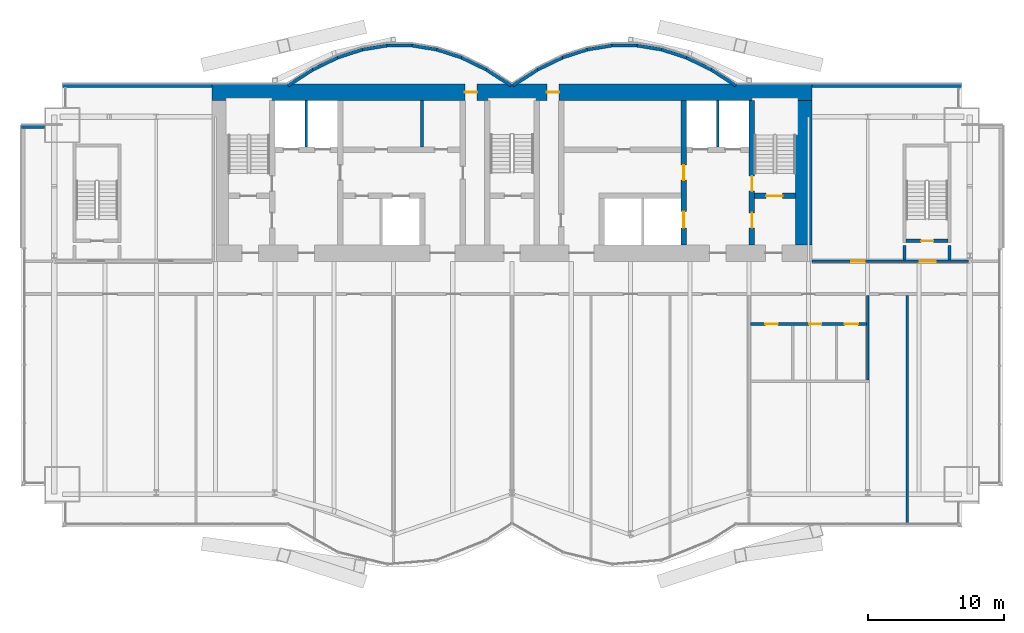
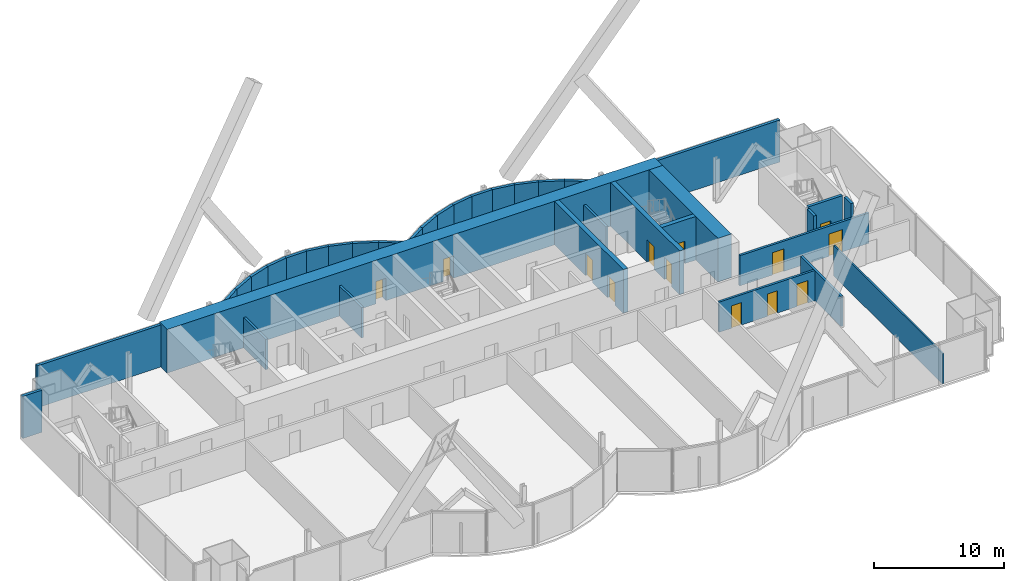
# One storey, part 18 of 22: 36 walls, 13 doors, 13 openings.
"""IFC4 building model written with IfcOpenShell, lengths in metres."""

from ifc_helpers import new_model, si_unit, direction, frame, frame_2d, origin, place, context, subcontext, project, spatial, rectangle, extrude, material, layer, layer_set, layer_usage, type_object, element, fill, save


model = new_model("IFC4")

# Units and contexts
model_context = context("Model", 3, precision=1e-05, world=origin(), true_north=direction((0.0, 1.0)))
body_context = subcontext(model_context, "Body", "Model", "MODEL_VIEW")
ifc_project = project(units=[si_unit("LENGTHUNIT", "METRE"), si_unit("AREAUNIT", "SQUARE_METRE"), si_unit("VOLUMEUNIT", "CUBIC_METRE"), si_unit("PLANEANGLEUNIT", "RADIAN"), si_unit("MASSUNIT", "GRAM", prefix="KILO")], contexts=[model_context])

# Site, building, storey
site_placement = place(None, origin())
site = spatial("IfcSite", under=ifc_project, at=site_placement, CompositionType="ELEMENT")
building_placement = place(site_placement, origin())
building = spatial("IfcBuilding", under=site, at=building_placement, Name="Bicima Exchange Tower", CompositionType="ELEMENT")
storey_placement = place(building_placement, frame((0.0, 0.0, 203.199951171875)))
storey = spatial("IfcBuildingStorey", under=building, at=storey_placement, Name="L45", CompositionType="ELEMENT", Elevation=203.199951171875)

# Walls
ifc_material_1 = material(Name="Gypsum board partition")
ifc_layer_1 = layer(ifc_material_1, 0.199951171875)
ifc_layer_set_1 = layer_set([ifc_layer_1], Name="Gypsum board partition")
wall_type_1 = type_object("IfcWallType", Name="Fire-rated gypsum partition 200 EI120", PredefinedType="PARTITIONING", material=ifc_layer_set_1)
for number, where, z_axis, x_axis, name in (
    (1, (-15.10009765625, -4.60009765625, 0.0), (0.0, 0.0, 1.0), (0.0, 1.0, 0.0), "partition wall 9"),
    (2, (15.10009765625, -4.60009765625, 0.0), (0.0, 0.0, 1.0), (0.0, 1.0, 0.0), "partition wall 21"),
):
    element("IfcWall", number, at=place(storey_placement, frame(where, z_axis=z_axis, x_axis=x_axis)), inside=storey, type_object=wall_type_1, Name=name, PredefinedType="PARTITIONING", context=body_context, shape_type="SweptSolid", body=[
        extrude(rectangle(XDim=3.400146484375, YDim=0.199951171875, at=frame_2d((1.7001953125, 0.0))), origin(), (0.0, 0.0, 1.0), 2.84033203125),
    ])

# Wall, openings, doors
ifc_layer_2 = layer(ifc_material_1, 0.199951171875)
ifc_layer_set_2 = layer_set([ifc_layer_2], Name="Gypsum board partition")
wall_type_2 = type_object("IfcWallType", Name="Fire-rated gypsum partition 200 EI60", PredefinedType="PARTITIONING", material=ifc_layer_set_2)
wall_1_placement = place(storey_placement, frame((17.5, -17.60009765625, 0.0), z_axis=(0.0, 0.0, 1.0), x_axis=(1.0, 0.0, 0.0)))
wall_1 = element("IfcWall", 3, at=wall_1_placement, inside=storey, type_object=wall_type_2, Name="partition wall 2", PredefinedType="PARTITIONING", context=body_context, shape_type="SweptSolid", body=[
    extrude(rectangle(XDim=8.5, YDim=0.199951171875, at=frame_2d((4.25, 0.0))), origin(), (0.0, 0.0, 1.0), 2.84033203125),
])
opening_1_placement = place(wall_1_placement, frame((1.10009765625, 0.0, 0.0)))
opening_1 = element("IfcOpeningElement", 4, at=opening_1_placement, cuts=wall_1, Name="Opening L45-015", PredefinedType="OPENING", context=body_context, shape_type="SweptSolid", body=[
    extrude(rectangle(XDim=0.89990234375, YDim=2.10009765625, at=frame_2d((0.449951171875, 1.050048828125))), frame((0.0, 0.11181640625, 0.0), z_axis=(0.0, -1.0, 0.0), x_axis=(1.0, 0.0, 0.0)), (0.0, 0.0, 1.0), 0.223876953125),
])
opening_2_placement = place(wall_1_placement, frame((4.300048828125, 0.0, 0.0)))
opening_2 = element("IfcOpeningElement", 5, at=opening_2_placement, cuts=wall_1, Name="Opening L45-016", PredefinedType="OPENING", context=body_context, shape_type="SweptSolid", body=[
    extrude(rectangle(XDim=0.89990234375, YDim=2.10009765625, at=frame_2d((0.449951171875, 1.050048828125))), frame((0.0, 0.11181640625, 0.0), z_axis=(0.0, -1.0, 0.0), x_axis=(1.0, 0.0, 0.0)), (0.0, 0.0, 1.0), 0.223876953125),
])
opening_3_placement = place(wall_1_placement, frame((6.89990234375, 0.0, 0.0)))
opening_3 = element("IfcOpeningElement", 6, at=opening_3_placement, cuts=wall_1, Name="Opening L45-017", PredefinedType="OPENING", context=body_context, shape_type="SweptSolid", body=[
    extrude(rectangle(XDim=1.0, YDim=2.10009765625, at=frame_2d((0.5, 1.050048828125))), frame((0.0, 0.11181640625, 0.0), z_axis=(0.0, -1.0, 0.0), x_axis=(1.0, 0.0, 0.0)), (0.0, 0.0, 1.0), 0.223876953125),
])
ifc_material_2 = material(Name="Steel fire door leaf", Category="steel")
door_type_1 = type_object("IfcDoorType", Name="Door 1000 swing FD30S", OperationType="SINGLE_SWING_LEFT", PredefinedType="DOOR", material=ifc_material_2)
door_1_placement = place(opening_3_placement, frame((1.0, 0.0, 0.0), z_axis=(0.0, 0.0, 1.0), x_axis=(-1.0, 0.0, 0.0)))
door_1 = element("IfcDoor", 7, at=door_1_placement, inside=storey, type_object=door_type_1, Name="Door", OperationType="SINGLE_SWING_RIGHT", OverallHeight=2.10009765625, OverallWidth=1.0, PredefinedType="DOOR", context=body_context, shape_type="SweptSolid", body=[
    extrude(rectangle(XDim=1.0, YDim=2.10009765625, at=frame_2d((0.5, 1.050048828125))), frame((0.0, 0.02490234375, 0.0), z_axis=(0.0, -1.0, 0.0), x_axis=(1.0, 0.0, 0.0)), (0.0, 0.0, 1.0), 0.050048828125),
])
fill(opening_3, door_1)
door_type_2 = type_object("IfcDoorType", Name="Door 900 swing FD30S", OperationType="SINGLE_SWING_LEFT", PredefinedType="DOOR", material=ifc_material_2)
door_2_placement = place(opening_1_placement, frame((0.89990234375, 0.0, 0.0), z_axis=(0.0, 0.0, 1.0), x_axis=(-1.0, 0.0, 0.0)))
door_2 = element("IfcDoor", 8, at=door_2_placement, inside=storey, type_object=door_type_2, Name="Door", OperationType="SINGLE_SWING_RIGHT", OverallHeight=2.10009765625, OverallWidth=0.89990234375, PredefinedType="DOOR", context=body_context, shape_type="SweptSolid", body=[
    extrude(rectangle(XDim=0.89990234375, YDim=2.10009765625, at=frame_2d((0.449951171875, 1.050048828125))), frame((0.0, 0.02490234375, 0.0), z_axis=(0.0, -1.0, 0.0), x_axis=(1.0, 0.0, 0.0)), (0.0, 0.0, 1.0), 0.050048828125),
])
fill(opening_1, door_2)
door_3_placement = place(opening_2_placement, frame((0.89990234375, 0.0, 0.0), z_axis=(0.0, 0.0, 1.0), x_axis=(-1.0, 0.0, 0.0)))
door_3 = element("IfcDoor", 9, at=door_3_placement, inside=storey, type_object=door_type_2, Name="Door", OperationType="SINGLE_SWING_LEFT", OverallHeight=2.10009765625, OverallWidth=0.89990234375, PredefinedType="DOOR", context=body_context, shape_type="SweptSolid", body=[
    extrude(rectangle(XDim=0.89990234375, YDim=2.10009765625, at=frame_2d((0.449951171875, 1.050048828125))), frame((0.0, 0.02490234375, 0.0), z_axis=(0.0, -1.0, 0.0), x_axis=(1.0, 0.0, 0.0)), (0.0, 0.0, 1.0), 0.050048828125),
])
fill(opening_2, door_3)

wall_2_placement = place(storey_placement, frame((22.0, -13.0, 0.0), z_axis=(0.0, 0.0, 1.0), x_axis=(1.0, 0.0, 0.0)))
wall_2 = element("IfcWall", 10, at=wall_2_placement, inside=storey, type_object=wall_type_2, Name="partition wall 6", PredefinedType="PARTITIONING", context=body_context, shape_type="SweptSolid", body=[
    extrude(rectangle(XDim=11.47998046875, YDim=0.199951171875, at=frame_2d((5.739990234375, 0.0))), origin(), (0.0, 0.0, 1.0), 2.84033203125),
])
opening_4_placement = place(wall_2_placement, frame((7.89990234375, 0.0, 0.0)))
opening_4 = element("IfcOpeningElement", 11, at=opening_4_placement, cuts=wall_2, Name="Opening L45-003", PredefinedType="OPENING", context=body_context, shape_type="SweptSolid", body=[
    extrude(rectangle(XDim=1.199951171875, YDim=2.10009765625, at=frame_2d((0.60009765625, 1.050048828125))), frame((0.0, 0.11181640625, 0.0), z_axis=(0.0, -1.0, 0.0), x_axis=(1.0, 0.0, 0.0)), (0.0, 0.0, 1.0), 0.223876953125),
])
opening_5_placement = place(wall_2_placement, frame((2.89990234375, 0.0, 0.0)))
opening_5 = element("IfcOpeningElement", 12, at=opening_5_placement, cuts=wall_2, Name="Opening L45-006", PredefinedType="OPENING", context=body_context, shape_type="SweptSolid", body=[
    extrude(rectangle(XDim=1.0, YDim=2.10009765625, at=frame_2d((0.5, 1.050048828125))), frame((0.0, 0.11181640625, 0.0), z_axis=(0.0, -1.0, 0.0), x_axis=(1.0, 0.0, 0.0)), (0.0, 0.0, 1.0), 0.223876953125),
])
door_4_placement = place(opening_5_placement, origin())
door_4 = element("IfcDoor", 13, at=door_4_placement, inside=storey, type_object=door_type_1, Name="Door", OperationType="SINGLE_SWING_RIGHT", OverallHeight=2.10009765625, OverallWidth=1.0, PredefinedType="DOOR", context=body_context, shape_type="SweptSolid", body=[
    extrude(rectangle(XDim=1.0, YDim=2.10009765625, at=frame_2d((0.5, 1.050048828125))), frame((0.0, 0.02490234375, 0.0), z_axis=(0.0, -1.0, 0.0), x_axis=(1.0, 0.0, 0.0)), (0.0, 0.0, 1.0), 0.050048828125),
])
fill(opening_5, door_4)
door_type_3 = type_object("IfcDoorType", Name="Door 1200 swing FD30S", OperationType="SINGLE_SWING_LEFT", PredefinedType="DOOR", material=ifc_material_2)
door_5_placement = place(opening_4_placement, origin())
door_5 = element("IfcDoor", 14, at=door_5_placement, inside=storey, type_object=door_type_3, Name="Door", OperationType="SINGLE_SWING_RIGHT", OverallHeight=2.10009765625, OverallWidth=1.199951171875, PredefinedType="DOOR", context=body_context, shape_type="SweptSolid", body=[
    extrude(rectangle(XDim=1.199951171875, YDim=2.10009765625, at=frame_2d((0.60009765625, 1.050048828125))), frame((0.0, 0.02490234375, 0.0), z_axis=(0.0, -1.0, 0.0), x_axis=(1.0, 0.0, 0.0)), (0.0, 0.0, 1.0), 0.050048828125),
])
fill(opening_4, door_5)

# Walls
wall_3_placement = place(storey_placement, frame((26.10009765625, -21.72509765625, 0.0), z_axis=(0.0, 0.0, 1.0), x_axis=(0.0, 1.0, 0.0)))
element("IfcWall", 15, at=wall_3_placement, inside=storey, type_object=wall_type_2, Name="partition wall 27", PredefinedType="PARTITIONING", context=body_context, shape_type="SweptSolid", body=[
    extrude(rectangle(XDim=6.22509765625, YDim=0.199951171875, at=frame_2d((3.112548828125, 0.0))), origin(), (0.0, 0.0, 1.0), 2.84033203125),
])
wall_4_placement = place(storey_placement, frame((-6.60009765625, -4.60009765625, 0.0), z_axis=(0.0, 0.0, 1.0), x_axis=(0.0, 1.0, 0.0)))
element("IfcWall", 16, at=wall_4_placement, inside=storey, type_object=wall_type_2, Name="partition wall 13", PredefinedType="PARTITIONING", context=body_context, shape_type="SweptSolid", body=[
    extrude(rectangle(XDim=3.400146484375, YDim=0.199951171875, at=frame_2d((1.7001953125, 0.0))), origin(), (0.0, 0.0, 1.0), 2.84033203125),
])
ifc_layer_3 = layer(ifc_material_1, 0.14990234375)
ifc_layer_set_3 = layer_set([ifc_layer_3], Name="Gypsum board partition")
wall_type_3 = type_object("IfcWallType", Name="Gypsum partition 150", PredefinedType="PARTITIONING", material=ifc_layer_set_3)
wall_5_placement = place(storey_placement, frame((29.0, -32.27001953125, 0.0), z_axis=(0.0, 0.0, 1.0), x_axis=(0.0, 1.0, 0.0)))
element("IfcWall", 17, at=wall_5_placement, inside=storey, type_object=wall_type_3, Name="partition wall 29", PredefinedType="PARTITIONING", context=body_context, shape_type="SweptSolid", body=[
    extrude(rectangle(XDim=16.77001953125, YDim=0.14990234375, at=frame_2d((8.385009765625, 0.0))), origin(), (0.0, 0.0, 1.0), 2.84033203125),
])

# Wall, openings, doors
ifc_material_3 = material(Name="Concrete C50/60", Category="concrete")
ifc_layer_4 = layer(ifc_material_3, 1.199951171875)
ifc_layer_set_4 = layer_set([ifc_layer_4], Name="Concrete C50/60")
wall_type_4 = type_object("IfcWallType", Name="RC core wall 1200 C50/60", PredefinedType="SHEAR", material=ifc_layer_set_4)
wall_6_placement = place(storey_placement, frame((-22.0, -0.60009765625, 0.0), z_axis=(0.0, 0.0, 1.0), x_axis=(1.0, 0.0, 0.0)))
wall_6 = element("IfcWall", 18, at=wall_6_placement, inside=storey, type_object=wall_type_4, Name="Core wall north", PredefinedType="SHEAR", context=body_context, shape_type="SweptSolid", body=[
    extrude(rectangle(XDim=44.0, YDim=1.199951171875, at=frame_2d((22.0, 0.0))), origin(), (0.0, 0.0, 1.0), 4.10009765625),
])
opening_6_placement = place(wall_6_placement, frame((18.550048828125, 0.0, 0.0)))
opening_6 = element("IfcOpeningElement", 19, at=opening_6_placement, cuts=wall_6, Name="Opening L45-C16", PredefinedType="OPENING", context=body_context, shape_type="SweptSolid", body=[
    extrude(rectangle(XDim=0.89990234375, YDim=2.10009765625, at=frame_2d((0.449951171875, 1.050048828125))), frame((0.0, 0.61181640625, 0.0), z_axis=(0.0, -1.0, 0.0), x_axis=(1.0, 0.0, 0.0)), (0.0, 0.0, 1.0), 1.223876953125),
])
opening_7_placement = place(wall_6_placement, frame((24.550048828125, 0.0, 0.0)))
opening_7 = element("IfcOpeningElement", 20, at=opening_7_placement, cuts=wall_6, Name="Opening L45-C17", PredefinedType="OPENING", context=body_context, shape_type="SweptSolid", body=[
    extrude(rectangle(XDim=0.89990234375, YDim=2.10009765625, at=frame_2d((0.449951171875, 1.050048828125))), frame((0.0, 0.61181640625, 0.0), z_axis=(0.0, -1.0, 0.0), x_axis=(1.0, 0.0, 0.0)), (0.0, 0.0, 1.0), 1.223876953125),
])
door_6_placement = place(opening_6_placement, origin())
door_6 = element("IfcDoor", 21, at=door_6_placement, inside=storey, type_object=door_type_2, Name="Core door", OperationType="SINGLE_SWING_LEFT", OverallHeight=2.10009765625, OverallWidth=0.89990234375, PredefinedType="DOOR", context=body_context, shape_type="SweptSolid", body=[
    extrude(rectangle(XDim=0.89990234375, YDim=2.10009765625, at=frame_2d((0.449951171875, 1.050048828125))), frame((0.0, 0.02490234375, 0.0), z_axis=(0.0, -1.0, 0.0), x_axis=(1.0, 0.0, 0.0)), (0.0, 0.0, 1.0), 0.050048828125),
])
fill(opening_6, door_6)
door_7_placement = place(opening_7_placement, origin())
door_7 = element("IfcDoor", 22, at=door_7_placement, inside=storey, type_object=door_type_2, Name="Core door", OperationType="SINGLE_SWING_LEFT", OverallHeight=2.10009765625, OverallWidth=0.89990234375, PredefinedType="DOOR", context=body_context, shape_type="SweptSolid", body=[
    extrude(rectangle(XDim=0.89990234375, YDim=2.10009765625, at=frame_2d((0.449951171875, 1.050048828125))), frame((0.0, 0.02490234375, 0.0), z_axis=(0.0, -1.0, 0.0), x_axis=(1.0, 0.0, 0.0)), (0.0, 0.0, 1.0), 0.050048828125),
])
fill(opening_7, door_7)

# Walls
wall_7_placement = place(storey_placement, frame((21.39990234375, -11.800048828125, 0.0), z_axis=(0.0, 0.0, 1.0), x_axis=(0.0, 1.0, 0.0)))
element("IfcWall", 23, at=wall_7_placement, inside=storey, type_object=wall_type_4, Name="Core wall east", PredefinedType="SHEAR", context=body_context, shape_type="SweptSolid", body=[
    extrude(rectangle(XDim=10.60009765625, YDim=1.199951171875, at=frame_2d((5.300048828125, 0.0))), origin(), (0.0, 0.0, 1.0), 4.10009765625),
])
ifc_layer_5 = layer(ifc_material_3, 0.25)
ifc_layer_set_5 = layer_set([ifc_layer_5], Name="Concrete C50/60")
wall_type_5 = type_object("IfcWallType", Name="RC core wall 250 C50/60", PredefinedType="SHEAR", material=ifc_layer_set_5)
for number, where, z_axis, x_axis, name in (
    (24, (28.800048828125, -12.89990234375, 0.0), (0.0, 0.0, 1.0), (0.0, 1.0, 0.0), "stair wall 28"),
    (25, (32.10009765625, -12.89990234375, 0.0), (0.0, 0.0, 1.0), (0.0, 1.0, 0.0), "stair wall 30"),
):
    element("IfcWall", number, at=place(storey_placement, frame(where, z_axis=z_axis, x_axis=x_axis)), inside=storey, type_object=wall_type_5, Name=name, PredefinedType="SHEAR", context=body_context, shape_type="SweptSolid", body=[
        extrude(rectangle(XDim=1.0498046875, YDim=0.25, at=frame_2d((0.52490234375, 0.0))), origin(), (0.0, 0.0, 1.0), 4.10009765625),
    ])

# Wall, opening, door
ifc_layer_6 = layer(ifc_material_3, 0.39990234375)
ifc_layer_set_6 = layer_set([ifc_layer_6], Name="Concrete C50/60")
wall_type_6 = type_object("IfcWallType", Name="RC core wall 400 C50/60", PredefinedType="SHEAR", material=ifc_layer_set_6)
wall_8_placement = place(storey_placement, frame((17.800048828125, -8.199951171875, 0.0), z_axis=(0.0, 0.0, 1.0), x_axis=(1.0, 0.0, 0.0)))
wall_8 = element("IfcWall", 26, at=wall_8_placement, inside=storey, type_object=wall_type_6, Name="stair wall 5", PredefinedType="SHEAR", context=body_context, shape_type="SweptSolid", body=[
    extrude(rectangle(XDim=3.0, YDim=0.39990234375, at=frame_2d((1.5, 0.0))), origin(), (0.0, 0.0, 1.0), 4.10009765625),
])
opening_8_placement = place(wall_8_placement, frame((0.85009765625, 0.0, 0.0)))
opening_8 = element("IfcOpeningElement", 27, at=opening_8_placement, cuts=wall_8, Name="Opening L45-C04", PredefinedType="OPENING", context=body_context, shape_type="SweptSolid", body=[
    extrude(rectangle(XDim=1.199951171875, YDim=2.10009765625, at=frame_2d((0.60009765625, 1.050048828125))), frame((0.0, 0.2119140625, 0.0), z_axis=(0.0, -1.0, 0.0), x_axis=(1.0, 0.0, 0.0)), (0.0, 0.0, 1.0), 0.423828125),
])
door_type_4 = type_object("IfcDoorType", Name="Door 1200 swing FD60S", OperationType="SINGLE_SWING_LEFT", PredefinedType="DOOR", material=ifc_material_2)
door_8_placement = place(opening_8_placement, origin())
door_8 = element("IfcDoor", 28, at=door_8_placement, inside=storey, type_object=door_type_4, Name="Core door", OperationType="SINGLE_SWING_RIGHT", OverallHeight=2.10009765625, OverallWidth=1.199951171875, PredefinedType="DOOR", context=body_context, shape_type="SweptSolid", body=[
    extrude(rectangle(XDim=1.199951171875, YDim=2.10009765625, at=frame_2d((0.60009765625, 1.050048828125))), frame((0.0, 0.02490234375, 0.0), z_axis=(0.0, -1.0, 0.0), x_axis=(1.0, 0.0, 0.0)), (0.0, 0.0, 1.0), 0.050048828125),
])
fill(opening_8, door_8)

# Wall, openings, doors
wall_9_placement = place(storey_placement, frame((12.60009765625, -11.800048828125, 0.0), z_axis=(0.0, 0.0, 1.0), x_axis=(0.0, 1.0, 0.0)))
wall_9 = element("IfcWall", 29, at=wall_9_placement, inside=storey, type_object=wall_type_6, Name="shear wall 20", PredefinedType="SHEAR", context=body_context, shape_type="SweptSolid", body=[
    extrude(rectangle(XDim=10.60009765625, YDim=0.39990234375, at=frame_2d((5.300048828125, 0.0))), origin(), (0.0, 0.0, 1.0), 4.10009765625),
])
opening_9_placement = place(wall_9_placement, frame((1.25, 0.0, 0.0)))
opening_9 = element("IfcOpeningElement", 30, at=opening_9_placement, cuts=wall_9, Name="Opening LD-MB2-L45", PredefinedType="OPENING", context=body_context, shape_type="SweptSolid", body=[
    extrude(rectangle(XDim=1.199951171875, YDim=2.10009765625, at=frame_2d((0.60009765625, 1.050048828125))), frame((0.0, 0.2119140625, 0.0), z_axis=(0.0, -1.0, 0.0), x_axis=(1.0, 0.0, 0.0)), (0.0, 0.0, 1.0), 0.423828125),
])
opening_10_placement = place(wall_9_placement, frame((4.75, 0.0, 0.0)))
opening_10 = element("IfcOpeningElement", 31, at=opening_10_placement, cuts=wall_9, Name="Opening L45-C09", PredefinedType="OPENING", context=body_context, shape_type="SweptSolid", body=[
    extrude(rectangle(XDim=1.10009765625, YDim=2.10009765625, at=frame_2d((0.550048828125, 1.050048828125))), frame((0.0, 0.2119140625, 0.0), z_axis=(0.0, -1.0, 0.0), x_axis=(1.0, 0.0, 0.0)), (0.0, 0.0, 1.0), 0.423828125),
])
door_type_5 = type_object("IfcDoorType", Name="Door 1100 swing FD60S", OperationType="SINGLE_SWING_LEFT", PredefinedType="DOOR", material=ifc_material_2)
door_9_placement = place(opening_10_placement, frame((1.10009765625, 0.0, 0.0), z_axis=(0.0, 0.0, 1.0), x_axis=(-1.0, 0.0, 0.0)))
door_9 = element("IfcDoor", 32, at=door_9_placement, inside=storey, type_object=door_type_5, Name="Core door", OperationType="SINGLE_SWING_RIGHT", OverallHeight=2.10009765625, OverallWidth=1.10009765625, PredefinedType="DOOR", context=body_context, shape_type="SweptSolid", body=[
    extrude(rectangle(XDim=1.10009765625, YDim=2.10009765625, at=frame_2d((0.550048828125, 1.050048828125))), frame((0.0, 0.02490234375, 0.0), z_axis=(0.0, -1.0, 0.0), x_axis=(1.0, 0.0, 0.0)), (0.0, 0.0, 1.0), 0.050048828125),
])
fill(opening_10, door_9)
ifc_material_4 = material(Name="Stainless steel", Category="steel")
door_type_6 = type_object("IfcDoorType", Name="Lift landing door 1200 sliding", OperationType="DOUBLE_DOOR_SLIDING", PredefinedType="DOOR", material=ifc_material_4)
door_10_placement = place(opening_9_placement, origin())
door_10 = element("IfcDoor", 33, at=door_10_placement, inside=storey, type_object=door_type_6, Name="Lift landing door MB2", OperationType="DOUBLE_DOOR_SLIDING", OverallHeight=2.10009765625, OverallWidth=1.199951171875, PredefinedType="DOOR", context=body_context, shape_type="SweptSolid", body=[
    extrude(rectangle(XDim=1.199951171875, YDim=2.10009765625, at=frame_2d((0.60009765625, 1.050048828125))), frame((0.0, 0.02490234375, 0.0), z_axis=(0.0, -1.0, 0.0), x_axis=(1.0, 0.0, 0.0)), (0.0, 0.0, 1.0), 0.050048828125),
])
fill(opening_9, door_10)

wall_10_placement = place(storey_placement, frame((17.60009765625, -11.800048828125, 0.0), z_axis=(0.0, 0.0, 1.0), x_axis=(0.0, 1.0, 0.0)))
wall_10 = element("IfcWall", 34, at=wall_10_placement, inside=storey, type_object=wall_type_6, Name="stair wall 22", PredefinedType="SHEAR", context=body_context, shape_type="SweptSolid", body=[
    extrude(rectangle(XDim=10.60009765625, YDim=0.39990234375, at=frame_2d((5.300048828125, 0.0))), origin(), (0.0, 0.0, 1.0), 4.10009765625),
])
opening_11_placement = place(wall_10_placement, frame((1.25, 0.0, 0.0)))
opening_11 = element("IfcOpeningElement", 35, at=opening_11_placement, cuts=wall_10, Name="Opening L45-C05", PredefinedType="OPENING", context=body_context, shape_type="SweptSolid", body=[
    extrude(rectangle(XDim=1.10009765625, YDim=2.10009765625, at=frame_2d((0.550048828125, 1.050048828125))), frame((0.0, 0.2119140625, 0.0), z_axis=(0.0, -1.0, 0.0), x_axis=(1.0, 0.0, 0.0)), (0.0, 0.0, 1.0), 0.423828125),
])
opening_12_placement = place(wall_10_placement, frame((3.949951171875, 0.0, 0.0)))
opening_12 = element("IfcOpeningElement", 36, at=opening_12_placement, cuts=wall_10, Name="Opening L45-C08", PredefinedType="OPENING", context=body_context, shape_type="SweptSolid", body=[
    extrude(rectangle(XDim=1.10009765625, YDim=2.10009765625, at=frame_2d((0.550048828125, 1.050048828125))), frame((0.0, 0.2119140625, 0.0), z_axis=(0.0, -1.0, 0.0), x_axis=(1.0, 0.0, 0.0)), (0.0, 0.0, 1.0), 0.423828125),
])
door_11_placement = place(opening_11_placement, origin())
door_11 = element("IfcDoor", 37, at=door_11_placement, inside=storey, type_object=door_type_5, Name="Core door", OperationType="SINGLE_SWING_LEFT", OverallHeight=2.10009765625, OverallWidth=1.10009765625, PredefinedType="DOOR", context=body_context, shape_type="SweptSolid", body=[
    extrude(rectangle(XDim=1.10009765625, YDim=2.10009765625, at=frame_2d((0.550048828125, 1.050048828125))), frame((0.0, 0.02490234375, 0.0), z_axis=(0.0, -1.0, 0.0), x_axis=(1.0, 0.0, 0.0)), (0.0, 0.0, 1.0), 0.050048828125),
])
fill(opening_11, door_11)
door_12_placement = place(opening_12_placement, origin())
door_12 = element("IfcDoor", 38, at=door_12_placement, inside=storey, type_object=door_type_5, Name="Core door", OperationType="SINGLE_SWING_RIGHT", OverallHeight=2.10009765625, OverallWidth=1.10009765625, PredefinedType="DOOR", context=body_context, shape_type="SweptSolid", body=[
    extrude(rectangle(XDim=1.10009765625, YDim=2.10009765625, at=frame_2d((0.550048828125, 1.050048828125))), frame((0.0, 0.02490234375, 0.0), z_axis=(0.0, -1.0, 0.0), x_axis=(1.0, 0.0, 0.0)), (0.0, 0.0, 1.0), 0.050048828125),
])
fill(opening_12, door_12)

# Wall, opening, door
ifc_layer_7 = layer(ifc_material_3, 0.25)
ifc_layer_set_7 = layer_set([ifc_layer_7], Name="Concrete C50/60")
wall_type_7 = type_object("IfcWallType", Name="RC stair enclosure wall 250 C50/60", PredefinedType="SHEAR", material=ifc_layer_set_7)
wall_11_placement = place(storey_placement, frame((28.925048828125, -11.5, 0.0), z_axis=(0.0, 0.0, 1.0), x_axis=(1.0, 0.0, 0.0)))
wall_11 = element("IfcWall", 39, at=wall_11_placement, inside=storey, type_object=wall_type_7, Name="East end exit stair wall S", PredefinedType="SHEAR", context=body_context, shape_type="SweptSolid", body=[
    extrude(rectangle(XDim=3.050048828125, YDim=0.25, at=frame_2d((1.52490234375, 0.0))), origin(), (0.0, 0.0, 1.0), 4.10009765625),
])
opening_13_placement = place(wall_11_placement, frame((1.10009765625, 0.0, 0.0)))
opening_13 = element("IfcOpeningElement", 40, at=opening_13_placement, cuts=wall_11, Name="Opening L45-004", PredefinedType="OPENING", context=body_context, shape_type="SweptSolid", body=[
    extrude(rectangle(XDim=0.89990234375, YDim=2.10009765625, at=frame_2d((0.449951171875, 1.050048828125))), frame((0.0, 0.136962890625, 0.0), z_axis=(0.0, -1.0, 0.0), x_axis=(1.0, 0.0, 0.0)), (0.0, 0.0, 1.0), 0.27392578125),
])
door_type_7 = type_object("IfcDoorType", Name="Door 900 swing FD60S", OperationType="SINGLE_SWING_LEFT", PredefinedType="DOOR", material=ifc_material_2)
door_13_placement = place(opening_13_placement, origin())
door_13 = element("IfcDoor", 41, at=door_13_placement, inside=storey, type_object=door_type_7, Name="Door", OperationType="SINGLE_SWING_LEFT", OverallHeight=2.10009765625, OverallWidth=0.89990234375, PredefinedType="DOOR", context=body_context, shape_type="SweptSolid", body=[
    extrude(rectangle(XDim=0.89990234375, YDim=2.10009765625, at=frame_2d((0.449951171875, 1.050048828125))), frame((0.0, 0.02490234375, 0.0), z_axis=(0.0, -1.0, 0.0), x_axis=(1.0, 0.0, 0.0)), (0.0, 0.0, 1.0), 0.050048828125),
])
fill(opening_13, door_13)

# Walls
ifc_material_5 = material(Name="Concrete C40/50", Category="concrete")
ifc_layer_8 = layer(ifc_material_5, 0.25)
ifc_layer_set_8 = layer_set([ifc_layer_8], Name="Concrete C40/50")
ifc_layer_usage = layer_usage(ifc_layer_set_8, "AXIS2", "POSITIVE", -0.125)
wall_type_8 = type_object("IfcWallType", Name="Rear backup wall 250", PredefinedType="STANDARD", material=ifc_layer_set_8)
wall_12_placement = place(storey_placement, frame((33.0, -0.125, 0.0), z_axis=(0.0, 0.0, 1.0), x_axis=(-1.0, 0.0, 0.0)))
element("IfcWall", 42, at=wall_12_placement, inside=storey, type_object=wall_type_8, material=ifc_layer_usage, Name="Rear backup wall L45 1", PredefinedType="STANDARD", context=body_context, shape_type="SweptSolid", body=[
    extrude(rectangle(XDim=11.0, YDim=0.25, at=frame_2d((5.5, 0.0))), origin(), (0.0, 0.0, 1.0), 3.949951171875),
])
wall_13_placement = place(storey_placement, frame((16.43212890625, -0.10498046875, 0.0), z_axis=(0.0, 0.0, 1.0), x_axis=(-0.83981312244, 0.542875602121, 0.0)))
element("IfcWall", 43, at=wall_13_placement, inside=storey, type_object=wall_type_8, material=ifc_layer_usage, Name="Rear backup wall L45 2", PredefinedType="STANDARD", context=body_context, shape_type="SweptSolid", body=[
    extrude(rectangle(XDim=2.182861328125, YDim=0.25, at=frame_2d((1.09130859375, 0.0))), origin(), (0.0, 0.0, 1.0), 3.949951171875),
])
wall_14_placement = place(storey_placement, frame((14.6123046875, 1.07275390625, 0.0), z_axis=(0.0, 0.0, 1.0), x_axis=(-0.89982408427, 0.436252928206, 0.0)))
element("IfcWall", 44, at=wall_14_placement, inside=storey, type_object=wall_type_8, material=ifc_layer_usage, Name="Rear backup wall L45 3", PredefinedType="STANDARD", context=body_context, shape_type="SweptSolid", body=[
    extrude(rectangle(XDim=2.03759765625, YDim=0.25, at=frame_2d((1.018798828125, 0.0))), origin(), (0.0, 0.0, 1.0), 3.949951171875),
])
wall_15_placement = place(storey_placement, frame((12.794921875, 1.955078125, 0.0), z_axis=(0.0, 0.0, 1.0), x_axis=(-0.951495806175, 0.307661714928, 0.0)))
element("IfcWall", 45, at=wall_15_placement, inside=storey, type_object=wall_type_8, material=ifc_layer_usage, Name="Rear backup wall L45 4", PredefinedType="STANDARD", context=body_context, shape_type="SweptSolid", body=[
    extrude(rectangle(XDim=1.9267578125, YDim=0.25, at=frame_2d((0.96337890625, 0.0))), origin(), (0.0, 0.0, 1.0), 3.949951171875),
])
wall_16_placement = place(storey_placement, frame((10.97998046875, 2.543212890625, 0.0), z_axis=(0.0, 0.0, 1.0), x_axis=(-0.987181718931, 0.159600293885, 0.0)))
element("IfcWall", 46, at=wall_16_placement, inside=storey, type_object=wall_type_8, material=ifc_layer_usage, Name="Rear backup wall L45 5", PredefinedType="STANDARD", context=body_context, shape_type="SweptSolid", body=[
    extrude(rectangle(XDim=1.857177734375, YDim=0.25, at=frame_2d((0.9287109375, 0.0))), origin(), (0.0, 0.0, 1.0), 3.949951171875),
])
wall_17_placement = place(storey_placement, frame((9.166748046875, 2.837890625, 0.0), z_axis=(0.0, 0.0, 1.0), x_axis=(-1.0, 0.0, 0.0)))
element("IfcWall", 47, at=wall_17_placement, inside=storey, type_object=wall_type_8, material=ifc_layer_usage, Name="Rear backup wall L45 6", PredefinedType="STANDARD", context=body_context, shape_type="SweptSolid", body=[
    extrude(rectangle(XDim=1.83349609375, YDim=0.25, at=frame_2d((0.916748046875, 0.0))), origin(), (0.0, 0.0, 1.0), 3.949951171875),
])
wall_18_placement = place(storey_placement, frame((7.353271484375, 2.839599609375, 0.0), z_axis=(0.0, 0.0, 1.0), x_axis=(-0.987181718931, -0.159600293885, 0.0)))
element("IfcWall", 48, at=wall_18_placement, inside=storey, type_object=wall_type_8, material=ifc_layer_usage, Name="Rear backup wall L45 7", PredefinedType="STANDARD", context=body_context, shape_type="SweptSolid", body=[
    extrude(rectangle(XDim=1.857177734375, YDim=0.25, at=frame_2d((0.9287109375, 0.0))), origin(), (0.0, 0.0, 1.0), 3.949951171875),
])
wall_19_placement = place(storey_placement, frame((5.538330078125, 2.5478515625, 0.0), z_axis=(0.0, 0.0, 1.0), x_axis=(-0.951495806175, -0.307661714928, 0.0)))
element("IfcWall", 49, at=wall_19_placement, inside=storey, type_object=wall_type_8, material=ifc_layer_usage, Name="Rear backup wall L45 8", PredefinedType="STANDARD", context=body_context, shape_type="SweptSolid", body=[
    extrude(rectangle(XDim=1.9267578125, YDim=0.25, at=frame_2d((0.96337890625, 0.0))), origin(), (0.0, 0.0, 1.0), 3.949951171875),
])
wall_20_placement = place(storey_placement, frame((3.72119140625, 1.961669921875, 0.0), z_axis=(0.0, 0.0, 1.0), x_axis=(-0.89982408427, -0.436252928206, 0.0)))
element("IfcWall", 50, at=wall_20_placement, inside=storey, type_object=wall_type_8, material=ifc_layer_usage, Name="Rear backup wall L45 9", PredefinedType="STANDARD", context=body_context, shape_type="SweptSolid", body=[
    extrude(rectangle(XDim=2.03759765625, YDim=0.25, at=frame_2d((1.018798828125, 0.0))), origin(), (0.0, 0.0, 1.0), 3.949951171875),
])
for number, where, z_axis, x_axis, name in (
    (51, (1.901123046875, 1.080078125, 0.0), (0.0, 0.0, 1.0), (-0.83981312244, -0.542875602121, 0.0), "Rear backup wall L45 10"),
    (52, (-0.06787109375, -0.10498046875, 0.0), (0.0, 0.0, 1.0), (-0.83981312244, 0.542875602121, 0.0), "Rear backup wall L45 11"),
):
    element("IfcWall", number, at=place(storey_placement, frame(where, z_axis=z_axis, x_axis=x_axis)), inside=storey, type_object=wall_type_8, material=ifc_layer_usage, Name=name, PredefinedType="STANDARD", context=body_context, shape_type="SweptSolid", body=[
        extrude(rectangle(XDim=2.182861328125, YDim=0.25, at=frame_2d((1.09130859375, 0.0))), origin(), (0.0, 0.0, 1.0), 3.949951171875),
    ])
wall_21_placement = place(storey_placement, frame((-1.8876953125, 1.07275390625, 0.0), z_axis=(0.0, 0.0, 1.0), x_axis=(-0.89982408427, 0.436252928206, 0.0)))
element("IfcWall", 53, at=wall_21_placement, inside=storey, type_object=wall_type_8, material=ifc_layer_usage, Name="Rear backup wall L45 12", PredefinedType="STANDARD", context=body_context, shape_type="SweptSolid", body=[
    extrude(rectangle(XDim=2.03759765625, YDim=0.25, at=frame_2d((1.018798828125, 0.0))), origin(), (0.0, 0.0, 1.0), 3.949951171875),
])
wall_22_placement = place(storey_placement, frame((-3.705078125, 1.955078125, 0.0), z_axis=(0.0, 0.0, 1.0), x_axis=(-0.951495806175, 0.307661714928, 0.0)))
element("IfcWall", 54, at=wall_22_placement, inside=storey, type_object=wall_type_8, material=ifc_layer_usage, Name="Rear backup wall L45 13", PredefinedType="STANDARD", context=body_context, shape_type="SweptSolid", body=[
    extrude(rectangle(XDim=1.9267578125, YDim=0.25, at=frame_2d((0.96337890625, 0.0))), origin(), (0.0, 0.0, 1.0), 3.949951171875),
])
wall_23_placement = place(storey_placement, frame((-5.52001953125, 2.543212890625, 0.0), z_axis=(0.0, 0.0, 1.0), x_axis=(-0.987181718931, 0.159600293885, 0.0)))
element("IfcWall", 55, at=wall_23_placement, inside=storey, type_object=wall_type_8, material=ifc_layer_usage, Name="Rear backup wall L45 14", PredefinedType="STANDARD", context=body_context, shape_type="SweptSolid", body=[
    extrude(rectangle(XDim=1.857177734375, YDim=0.25, at=frame_2d((0.9287109375, 0.0))), origin(), (0.0, 0.0, 1.0), 3.949951171875),
])
wall_24_placement = place(storey_placement, frame((-7.333251953125, 2.837890625, 0.0), z_axis=(0.0, 0.0, 1.0), x_axis=(-1.0, 0.0, 0.0)))
element("IfcWall", 56, at=wall_24_placement, inside=storey, type_object=wall_type_8, material=ifc_layer_usage, Name="Rear backup wall L45 15", PredefinedType="STANDARD", context=body_context, shape_type="SweptSolid", body=[
    extrude(rectangle(XDim=1.83349609375, YDim=0.25, at=frame_2d((0.916748046875, 0.0))), origin(), (0.0, 0.0, 1.0), 3.949951171875),
])
wall_25_placement = place(storey_placement, frame((-9.146728515625, 2.839599609375, 0.0), z_axis=(0.0, 0.0, 1.0), x_axis=(-0.987181718931, -0.159600293885, 0.0)))
element("IfcWall", 57, at=wall_25_placement, inside=storey, type_object=wall_type_8, material=ifc_layer_usage, Name="Rear backup wall L45 16", PredefinedType="STANDARD", context=body_context, shape_type="SweptSolid", body=[
    extrude(rectangle(XDim=1.857177734375, YDim=0.25, at=frame_2d((0.9287109375, 0.0))), origin(), (0.0, 0.0, 1.0), 3.949951171875),
])
wall_26_placement = place(storey_placement, frame((-10.961669921875, 2.5478515625, 0.0), z_axis=(0.0, 0.0, 1.0), x_axis=(-0.951495806175, -0.307661714928, 0.0)))
element("IfcWall", 58, at=wall_26_placement, inside=storey, type_object=wall_type_8, material=ifc_layer_usage, Name="Rear backup wall L45 17", PredefinedType="STANDARD", context=body_context, shape_type="SweptSolid", body=[
    extrude(rectangle(XDim=1.9267578125, YDim=0.25, at=frame_2d((0.96337890625, 0.0))), origin(), (0.0, 0.0, 1.0), 3.949951171875),
])
wall_27_placement = place(storey_placement, frame((-12.77880859375, 1.961669921875, 0.0), z_axis=(0.0, 0.0, 1.0), x_axis=(-0.89982408427, -0.436252928206, 0.0)))
element("IfcWall", 59, at=wall_27_placement, inside=storey, type_object=wall_type_8, material=ifc_layer_usage, Name="Rear backup wall L45 18", PredefinedType="STANDARD", context=body_context, shape_type="SweptSolid", body=[
    extrude(rectangle(XDim=2.03759765625, YDim=0.25, at=frame_2d((1.018798828125, 0.0))), origin(), (0.0, 0.0, 1.0), 3.949951171875),
])
wall_28_placement = place(storey_placement, frame((-14.598876953125, 1.080078125, 0.0), z_axis=(0.0, 0.0, 1.0), x_axis=(-0.83981312244, -0.542875602121, 0.0)))
element("IfcWall", 60, at=wall_28_placement, inside=storey, type_object=wall_type_8, material=ifc_layer_usage, Name="Rear backup wall L45 19", PredefinedType="STANDARD", context=body_context, shape_type="SweptSolid", body=[
    extrude(rectangle(XDim=2.182861328125, YDim=0.25, at=frame_2d((1.09130859375, 0.0))), origin(), (0.0, 0.0, 1.0), 3.949951171875),
])
wall_29_placement = place(storey_placement, frame((-22.0, -0.125, 0.0), z_axis=(0.0, 0.0, 1.0), x_axis=(-1.0, 0.0, 0.0)))
element("IfcWall", 61, at=wall_29_placement, inside=storey, type_object=wall_type_8, material=ifc_layer_usage, Name="Rear backup wall L45 20", PredefinedType="STANDARD", context=body_context, shape_type="SweptSolid", body=[
    extrude(rectangle(XDim=11.0, YDim=0.25, at=frame_2d((5.5, 0.0))), origin(), (0.0, 0.0, 1.0), 3.949951171875),
])
wall_30_placement = place(storey_placement, frame((-34.300048828125, -3.125, 0.0), z_axis=(0.0, 0.0, 1.0), x_axis=(-1.0, 0.0, 0.0)))
element("IfcWall", 62, at=wall_30_placement, inside=storey, type_object=wall_type_8, material=ifc_layer_usage, Name="Rear backup wall L45 22", PredefinedType="STANDARD", context=body_context, shape_type="SweptSolid", body=[
    extrude(rectangle(XDim=1.699951171875, YDim=0.25, at=frame_2d((0.85009765625, 0.0))), origin(), (0.0, 0.0, 1.0), 3.949951171875),
])

save(model, "model.ifc")
